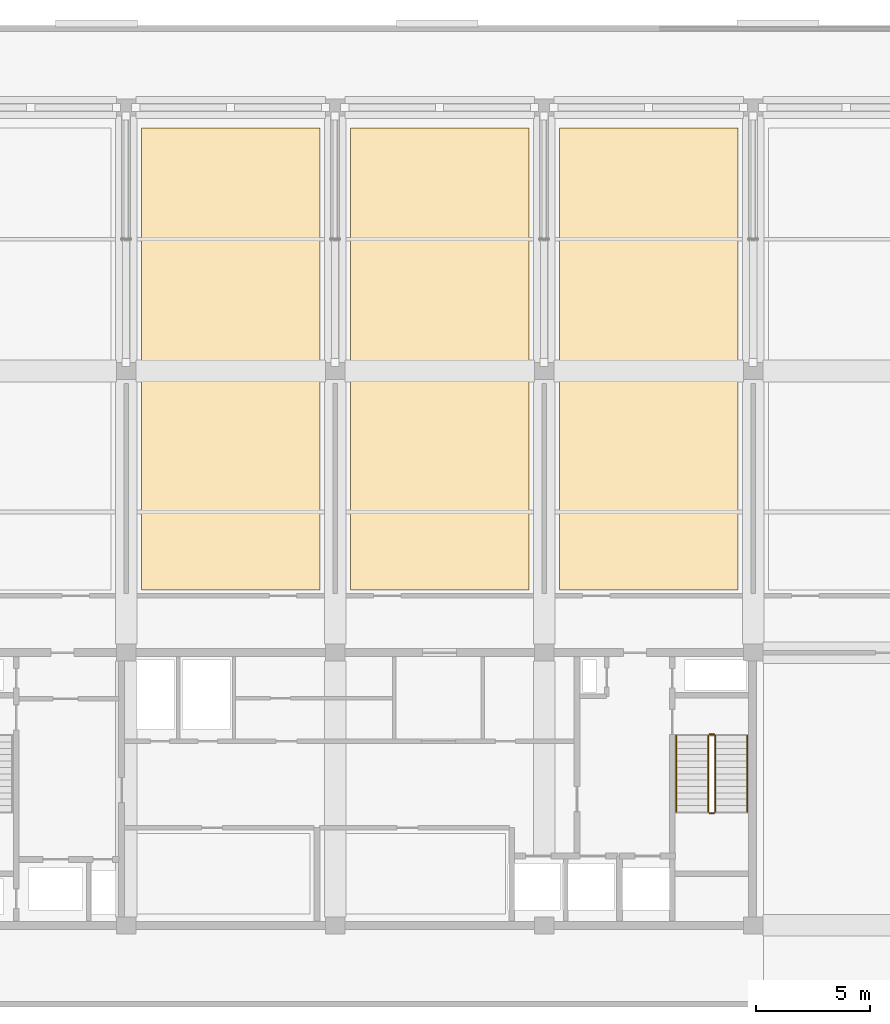
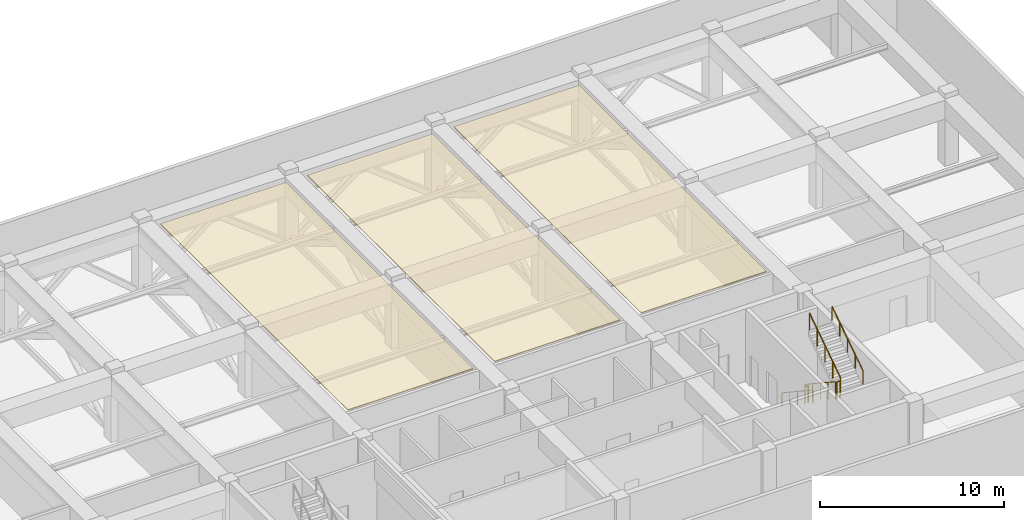
# One storey, part 10 of 11: 6 railings, 3 coverings.
"""IFC4 building model written with IfcOpenShell, lengths in metres."""

from ifc_helpers import new_model, si_unit, direction, frame, origin, origin_2d, place, context, subcontext, project, spatial, polyline, circle, outline, extrude, material, layer, layer_set, type_object, element, save


model = new_model("IFC4")

# Units and contexts
model_context = context("Model", 3, precision=1e-05, world=origin(), true_north=direction((0.0, 1.0)))
body_context = subcontext(model_context, "Body", "Model", "MODEL_VIEW")
ifc_project = project(units=[si_unit("LENGTHUNIT", "METRE"), si_unit("AREAUNIT", "SQUARE_METRE"), si_unit("VOLUMEUNIT", "CUBIC_METRE"), si_unit("PLANEANGLEUNIT", "RADIAN"), si_unit("MASSUNIT", "GRAM", prefix="KILO")], contexts=[model_context])

# Site, building, storey
site_placement = place(None, origin())
site = spatial("IfcSite", under=ifc_project, at=site_placement, CompositionType="ELEMENT")
building_placement = place(site_placement, origin())
building = spatial("IfcBuilding", under=site, at=building_placement, Name="Korimba Cascade Residences", CompositionType="ELEMENT")
storey_placement = place(building_placement, frame((0.0, 0.0, 223.85009765625)))
storey = spatial("IfcBuildingStorey", under=building, at=storey_placement, Name="L65", CompositionType="ELEMENT", Elevation=223.85009765625)

# Coverings
ifc_material_1 = material(Name="Mineral Wool Thermal Acoustic Insulation", Category="insulation")
ifc_layer = layer(ifc_material_1, 0.06005859375)
ifc_layer_set = layer_set([ifc_layer], Name="Mineral Wool Thermal Acoustic Insulation")
covering_type = type_object("IfcCoveringType", Name="COV-INS-60", PredefinedType="INSULATION", material=ifc_layer_set)
covering_1_placement = place(storey_placement, frame((0.0, 0.0, 4.419921875)))
element("IfcCovering", 1, at=covering_1_placement, inside=storey, type_object=covering_type, Name="L65 Mineral Wool Acoustic Soffit Insulation L65-PL14", PredefinedType="INSULATION", context=body_context, shape_type="SweptSolid", body=[
    extrude(outline(polyline([(85.169921875, 69.949951171875), (93.030029296875, 69.949951171875), (93.030029296875, 90.300048828125), (85.169921875, 90.300048828125), (85.169921875, 69.949951171875)])), origin(), (0.0, 0.0, 1.0), 0.06005859375),
])
covering_2_placement = place(storey_placement, frame((0.0, 0.0, 4.419921875)))
element("IfcCovering", 2, at=covering_2_placement, inside=storey, type_object=covering_type, Name="L65 Mineral Wool Acoustic Soffit Insulation L65-PL15", PredefinedType="INSULATION", context=body_context, shape_type="SweptSolid", body=[
    extrude(outline(polyline([(94.3701171875, 69.949951171875), (102.22998046875, 69.949951171875), (102.22998046875, 90.300048828125), (94.3701171875, 90.300048828125), (94.3701171875, 69.949951171875)])), origin(), (0.0, 0.0, 1.0), 0.06005859375),
])
covering_3_placement = place(storey_placement, frame((0.0, 0.0, 4.419921875)))
element("IfcCovering", 3, at=covering_3_placement, inside=storey, type_object=covering_type, Name="L65 Mineral Wool Acoustic Soffit Insulation L65-PL16", PredefinedType="INSULATION", context=body_context, shape_type="SweptSolid", body=[
    extrude(outline(polyline([(103.570068359375, 69.949951171875), (111.429931640625, 69.949951171875), (111.429931640625, 90.300048828125), (103.570068359375, 90.300048828125), (103.570068359375, 69.949951171875)])), origin(), (0.0, 0.0, 1.0), 0.06005859375),
])

# Railings
ifc_material_2 = material(Name="Painted Steel Stairwell Guardrail", Category="steel")
railing_type_1 = type_object("IfcRailingType", Name="RLG-ST-GD1150", PredefinedType="GUARDRAIL", material=ifc_material_2)
railing_1_placement = place(storey_placement, frame((110.1298828125, 63.550048828125, 0.1845703125)))
element("IfcRailing", 4, at=railing_1_placement, inside=storey, type_object=railing_type_1, Name="L65 ST-W2 stair guard 1", PredefinedType="GUARDRAIL", context=body_context, shape_type="SweptSolid", body=[
    extrude(circle(Radius=0.02392578125, at=origin_2d()), frame((0.0, 0.0, 1.1259765625), z_axis=(0.0, -0.834876476806, 0.550437342915), x_axis=(1.0, 0.0, 0.0)), (0.0, 0.0, 1.0), 4.024658203125),
    extrude(circle(Radius=0.02099609375, at=origin_2d()), origin(), (0.0, 0.0, 1.0), 1.101806640625),
    extrude(circle(Radius=0.02099609375, at=origin_2d()), frame((0.0, -0.840087890625, 0.5537109375)), (0.0, 0.0, 1.0), 1.101806640625),
    extrude(circle(Radius=0.02099609375, at=origin_2d()), frame((0.0, -1.68017578125, 1.107666015625)), (0.0, 0.0, 1.0), 1.101806640625),
    extrude(circle(Radius=0.02099609375, at=origin_2d()), frame((0.0, -2.52001953125, 1.66162109375)), (0.0, 0.0, 1.0), 1.101806640625),
    extrude(circle(Radius=0.02099609375, at=origin_2d()), frame((0.0, -3.360107421875, 2.21533203125)), (0.0, 0.0, 1.0), 1.101806640625),
])
railing_2_placement = place(storey_placement, frame((110.179931640625, 60.139892578125, 2.39990234375)))
element("IfcRailing", 5, at=railing_2_placement, inside=storey, type_object=railing_type_1, Name="L65 ST-W2 stair guard 2", PredefinedType="GUARDRAIL", context=body_context, shape_type="SweptSolid", body=[
    extrude(circle(Radius=0.02392578125, at=origin_2d()), frame((0.0, 0.0, 1.1259765625), z_axis=(1.0, 0.0, 0.0), x_axis=(0.0, 1.0, 0.0)), (0.0, 0.0, 1.0), 0.199951171875),
    extrude(circle(Radius=0.02099609375, at=origin_2d()), origin(), (0.0, 0.0, 1.0), 1.101806640625),
    extrude(circle(Radius=0.02099609375, at=origin_2d()), frame((0.199951171875, 0.0, 0.0)), (0.0, 0.0, 1.0), 1.101806640625),
])
railing_3_placement = place(storey_placement, frame((110.429931640625, 60.18994140625, 2.58447265625)))
element("IfcRailing", 6, at=railing_3_placement, inside=storey, type_object=railing_type_1, Name="L65 ST-W2 stair guard 3", PredefinedType="GUARDRAIL", context=body_context, shape_type="SweptSolid", body=[
    extrude(circle(Radius=0.02392578125, at=origin_2d()), frame((0.0, 0.0, 1.1259765625), z_axis=(0.0, 0.834876476806, 0.550437342915), x_axis=(-1.0, 0.0, 0.0)), (0.0, 0.0, 1.0), 4.024658203125),
    extrude(circle(Radius=0.02099609375, at=origin_2d()), origin(), (0.0, 0.0, 1.0), 1.101806640625),
    extrude(circle(Radius=0.02099609375, at=origin_2d()), frame((0.0, 0.840087890625, 0.5537109375)), (0.0, 0.0, 1.0), 1.101806640625),
    extrude(circle(Radius=0.02099609375, at=origin_2d()), frame((0.0, 1.68017578125, 1.107666015625)), (0.0, 0.0, 1.0), 1.101806640625),
    extrude(circle(Radius=0.02099609375, at=origin_2d()), frame((0.0, 2.52001953125, 1.66162109375)), (0.0, 0.0, 1.0), 1.101806640625),
    extrude(circle(Radius=0.02099609375, at=origin_2d()), frame((0.0, 3.360107421875, 2.21533203125)), (0.0, 0.0, 1.0), 1.101806640625),
])
railing_4_placement = place(storey_placement, frame((110.179931640625, 63.60009765625, 0.0)))
element("IfcRailing", 7, at=railing_4_placement, inside=storey, type_object=railing_type_1, Name="L65 ST-W2 stair guard 4", PredefinedType="GUARDRAIL", context=body_context, shape_type="SweptSolid", body=[
    extrude(circle(Radius=0.02392578125, at=origin_2d()), frame((0.0, 0.0, 1.1259765625), z_axis=(1.0, 0.0, 0.0), x_axis=(0.0, 1.0, 0.0)), (0.0, 0.0, 1.0), 0.199951171875),
    extrude(circle(Radius=0.02099609375, at=origin_2d()), origin(), (0.0, 0.0, 1.0), 1.101806640625),
    extrude(circle(Radius=0.02099609375, at=origin_2d()), frame((0.199951171875, 0.0, 0.0)), (0.0, 0.0, 1.0), 1.101806640625),
])
ifc_material_3 = material(Name="Brushed Stainless Steel Handrail", Category="steel")
railing_type_2 = type_object("IfcRailingType", Name="RLG-ST-HR900", PredefinedType="HANDRAIL", material=ifc_material_3)
railing_5_placement = place(storey_placement, frame((108.7099609375, 63.550048828125, 0.373046875)))
element("IfcRailing", 8, at=railing_5_placement, inside=storey, type_object=railing_type_2, Name="L65 ST-W2 stair handrail 1", PredefinedType="HANDRAIL", context=body_context, shape_type="SweptSolid", body=[
    extrude(circle(Radius=0.02392578125, at=origin_2d()), frame((0.0, 0.0, 0.8759765625), z_axis=(0.0, -0.834876476806, 0.550437342915), x_axis=(1.0, 0.0, 0.0)), (0.0, 0.0, 1.0), 4.024658203125),
    extrude(circle(Radius=0.02099609375, at=origin_2d()), origin(), (0.0, 0.0, 1.0), 0.851806640625),
    extrude(circle(Radius=0.02099609375, at=origin_2d()), frame((0.0, -0.840087890625, 0.5537109375)), (0.0, 0.0, 1.0), 0.851806640625),
    extrude(circle(Radius=0.02099609375, at=origin_2d()), frame((0.0, -1.68017578125, 1.107666015625)), (0.0, 0.0, 1.0), 0.851806640625),
    extrude(circle(Radius=0.02099609375, at=origin_2d()), frame((0.0, -2.52001953125, 1.66162109375)), (0.0, 0.0, 1.0), 0.851806640625),
    extrude(circle(Radius=0.02099609375, at=origin_2d()), frame((0.0, -3.360107421875, 2.21533203125)), (0.0, 0.0, 1.0), 0.851806640625),
])
railing_6_placement = place(storey_placement, frame((111.85009765625, 60.18994140625, 2.773193359375)))
element("IfcRailing", 9, at=railing_6_placement, inside=storey, type_object=railing_type_2, Name="L65 ST-W2 stair handrail 2", PredefinedType="HANDRAIL", context=body_context, shape_type="SweptSolid", body=[
    extrude(circle(Radius=0.02392578125, at=origin_2d()), frame((0.0, 0.0, 0.8759765625), z_axis=(0.0, 0.834876476806, 0.550437342915), x_axis=(-1.0, 0.0, 0.0)), (0.0, 0.0, 1.0), 4.024658203125),
    extrude(circle(Radius=0.02099609375, at=origin_2d()), origin(), (0.0, 0.0, 1.0), 0.851806640625),
    extrude(circle(Radius=0.02099609375, at=origin_2d()), frame((0.0, 0.840087890625, 0.5537109375)), (0.0, 0.0, 1.0), 0.851806640625),
    extrude(circle(Radius=0.02099609375, at=origin_2d()), frame((0.0, 1.68017578125, 1.107666015625)), (0.0, 0.0, 1.0), 0.851806640625),
    extrude(circle(Radius=0.02099609375, at=origin_2d()), frame((0.0, 2.52001953125, 1.66162109375)), (0.0, 0.0, 1.0), 0.851806640625),
    extrude(circle(Radius=0.02099609375, at=origin_2d()), frame((0.0, 3.360107421875, 2.21533203125)), (0.0, 0.0, 1.0), 0.851806640625),
])

save(model, "model.ifc")
